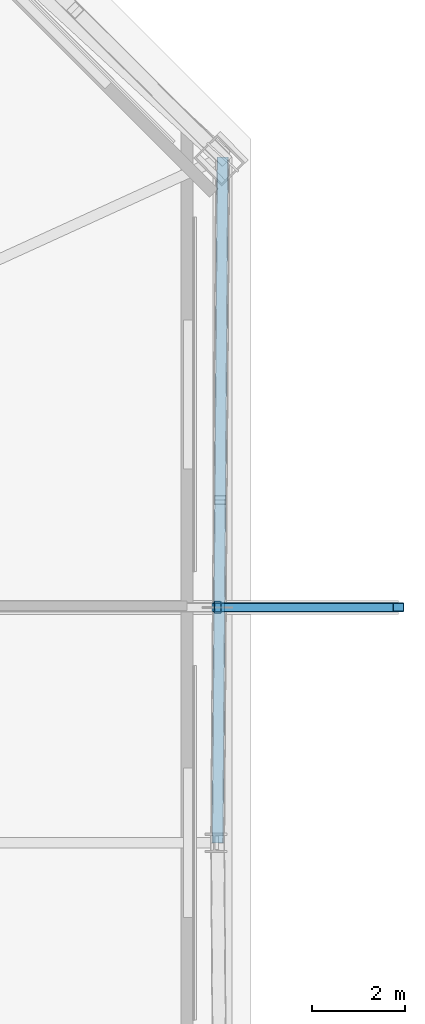
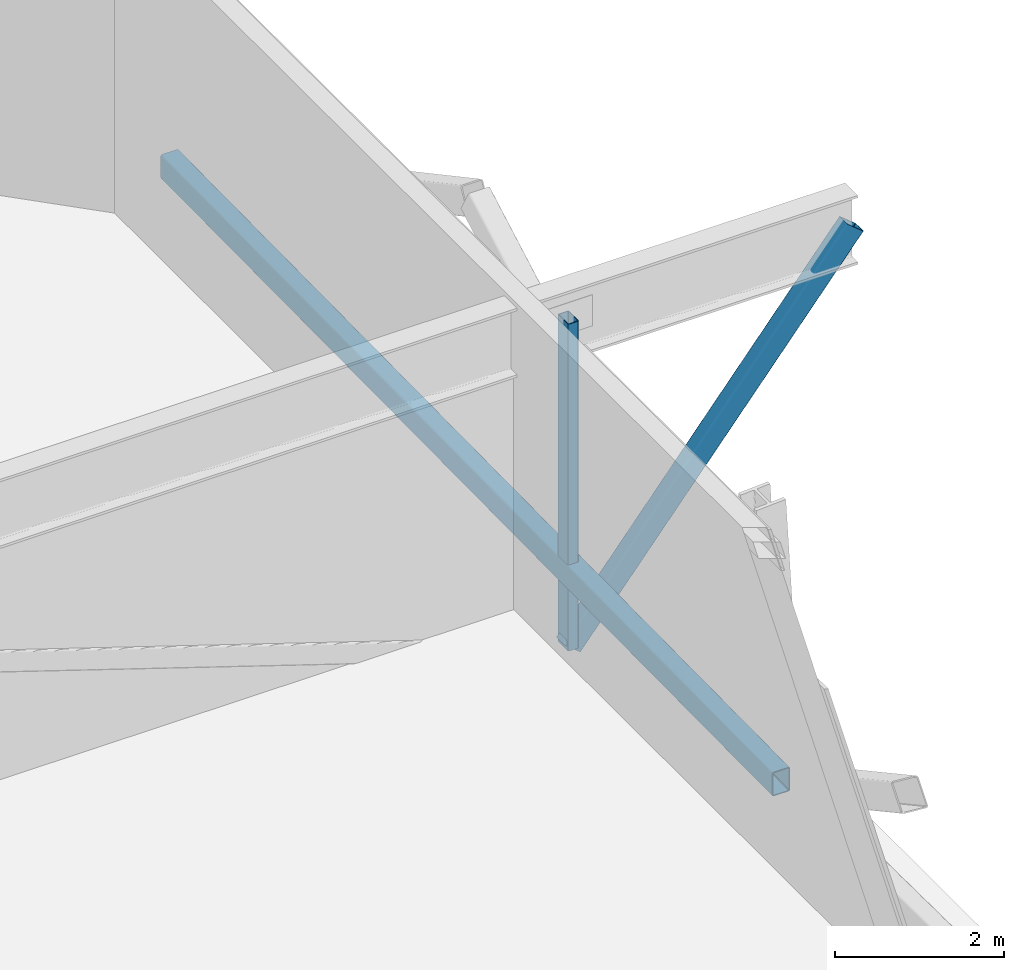
# One storey, part 6 of 15: 3 members.
"""IFC4 building model written with IfcOpenShell, lengths in metres."""

from ifc_helpers import new_model, si_unit, direction, frame, origin, origin_2d, place, context, subcontext, project, spatial, hollow_rectangle, extrude, material, material_profile, profile_set, type_object, element, save


model = new_model("IFC4")

# Units and contexts
model_context = context("Model", 3, precision=1e-05, world=origin(), true_north=direction((0.0, 1.0)))
body_context = subcontext(model_context, "Body", "Model", "MODEL_VIEW")
ifc_project = project(units=[si_unit("LENGTHUNIT", "METRE"), si_unit("AREAUNIT", "SQUARE_METRE"), si_unit("VOLUMEUNIT", "CUBIC_METRE"), si_unit("PLANEANGLEUNIT", "RADIAN"), si_unit("MASSUNIT", "GRAM", prefix="KILO")], contexts=[model_context])

# Site, building, storey
site_placement = place(None, origin())
site = spatial("IfcSite", under=ifc_project, at=site_placement, CompositionType="ELEMENT")
building_placement = place(site_placement, origin())
building = spatial("IfcBuilding", under=site, at=building_placement, Name="Caelvoria Tower", CompositionType="ELEMENT")
storey_placement = place(building_placement, frame((0.0, 0.0, 167.199951171875)))
storey = spatial("IfcBuildingStorey", under=building, at=storey_placement, Name="L44", CompositionType="ELEMENT", Elevation=167.199951171875)

# Members
ifc_material = material(Name="Structural Steel ASTM A572 Gr.50", Category="steel")
ifc_material_profile_1 = material_profile(ifc_material, hollow_rectangle(XDim=0.25, YDim=0.35009765625, WallThickness=0.013916015625, InnerFilletRadius=0.013916015625, OuterFilletRadius=0.028076171875, at=origin_2d()), Name="Structural Steel ASTM A572 Gr.50")
ifc_profile_set_1 = profile_set([ifc_material_profile_1], Name="HSS350X250X14 - Structural Steel ASTM A572 Gr.50")
member_type_1 = type_object("IfcMemberType", Name="Belt Truss Chord Member HSS350X250X14", PredefinedType="CHORD", material=ifc_profile_set_1)
member_1_placement = place(storey_placement, frame((69.56005859375, 32.0, 0.25), z_axis=(0.007373744922, 0.999972813573, 0.0), x_axis=(-0.999972813573, 0.007373744922, 0.0)))
element("IfcMember", 1, at=member_1_placement, inside=storey, type_object=member_type_1, Name="Belt Truss Bottom Chord L44-04", PredefinedType="CHORD", context=body_context, shape_type="SweptSolid", body=[
    extrude(hollow_rectangle(XDim=0.25, YDim=0.35009765625, WallThickness=0.013916015625, InnerFilletRadius=0.013916015625, OuterFilletRadius=0.028076171875, at=origin_2d()), origin(), (0.0, 0.0, 1.0), 14.70068359375),
])
ifc_material_profile_2 = material_profile(ifc_material, hollow_rectangle(XDim=0.199951171875, YDim=0.300048828125, WallThickness=0.012451171875, InnerFilletRadius=0.012451171875, OuterFilletRadius=0.02490234375, at=origin_2d()), Name="Structural Steel ASTM A572 Gr.50")
ifc_profile_set_2 = profile_set([ifc_material_profile_2], Name="HSS300X200X12.5 - Structural Steel ASTM A572 Gr.50")
member_type_2 = type_object("IfcMemberType", Name="Sky Pool Truss Diagonal HSS300X200X12.5", PredefinedType="BRACE", material=ifc_profile_set_2)
member_2_placement = place(storey_placement, frame((69.56005859375, 37.050048828125, -0.824951171875), z_axis=(0.633404897986, 0.0, 0.773820544576), x_axis=(0.0, 1.0, 0.0)))
element("IfcMember", 2, at=member_2_placement, inside=storey, type_object=member_type_2, Name="Sky Pool Cantilever Raking Strut N", PredefinedType="BRACE", context=body_context, shape_type="SweptSolid", body=[
    extrude(hollow_rectangle(XDim=0.199951171875, YDim=0.300048828125, WallThickness=0.012451171875, InnerFilletRadius=0.012451171875, OuterFilletRadius=0.02490234375, at=origin_2d()), origin(), (0.0, 0.0, 1.0), 6.12548828125),
])
ifc_material_profile_3 = material_profile(ifc_material, hollow_rectangle(XDim=0.14990234375, YDim=0.25, WallThickness=0.010009765625, InnerFilletRadius=0.010009765625, OuterFilletRadius=0.02001953125, at=origin_2d()), Name="Structural Steel ASTM A572 Gr.50")
ifc_profile_set_3 = profile_set([ifc_material_profile_3], Name="HSS250X150X10 - Structural Steel ASTM A572 Gr.50")
member_type_3 = type_object("IfcMemberType", Name="Sky Pool Truss Post HSS250X150X10", PredefinedType="POST", material=ifc_profile_set_3)
member_3_placement = place(storey_placement, frame((69.56005859375, 37.050048828125, -0.824951171875), z_axis=(0.0, 0.0, 1.0), x_axis=(1.0, 0.0, 0.0)))
element("IfcMember", 3, at=member_3_placement, inside=storey, type_object=member_type_3, Name="Sky Pool Fulcrum Post N", PredefinedType="POST", context=body_context, shape_type="SweptSolid", body=[
    extrude(hollow_rectangle(XDim=0.14990234375, YDim=0.25, WallThickness=0.010009765625, InnerFilletRadius=0.010009765625, OuterFilletRadius=0.02001953125, at=origin_2d()), origin(), (0.0, 0.0, 1.0), 4.739990234375),
])

save(model, "model.ifc")
